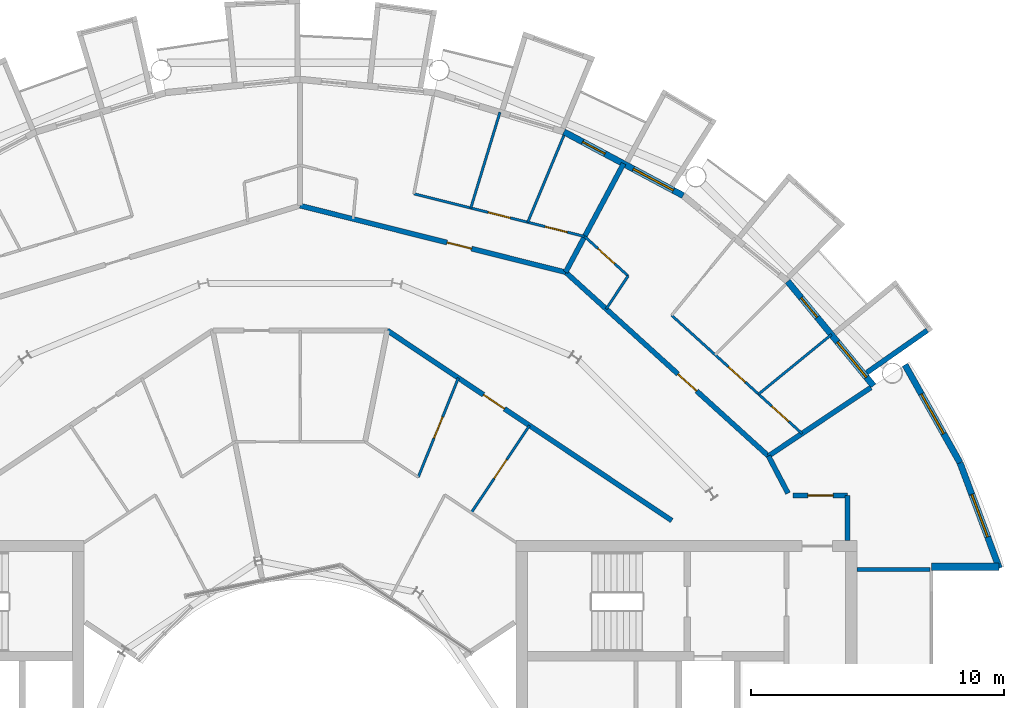
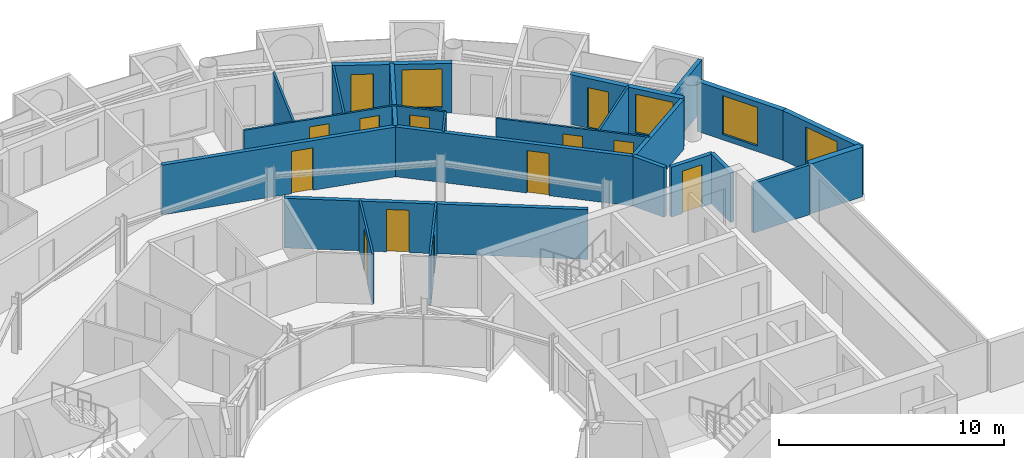
# One storey, part 23 of 27: 24 walls, 13 doors, 4 windows, 17 openings.
"""IFC4 building model written with IfcOpenShell, lengths in metres."""

from ifc_helpers import new_model, si_unit, direction, frame, frame_2d, origin, place, context, subcontext, project, spatial, rectangle, extrude, material, layer, layer_set, type_object, element, fill, save


model = new_model("IFC4")

# Units and contexts
model_context = context("Model", 3, precision=1e-05, world=origin(), true_north=direction((0.0, 1.0)))
body_context = subcontext(model_context, "Body", "Model", "MODEL_VIEW")
ifc_project = project(units=[si_unit("LENGTHUNIT", "METRE"), si_unit("AREAUNIT", "SQUARE_METRE"), si_unit("VOLUMEUNIT", "CUBIC_METRE"), si_unit("PLANEANGLEUNIT", "RADIAN"), si_unit("MASSUNIT", "GRAM", prefix="KILO")], contexts=[model_context])

# Site, building, storey
site_placement = place(None, origin())
site = spatial("IfcSite", under=ifc_project, at=site_placement, CompositionType="ELEMENT")
building_placement = place(site_placement, origin())
building = spatial("IfcBuilding", under=site, at=building_placement, Name="Maasbend Ring Residences", CompositionType="ELEMENT")
storey_placement = place(building_placement, frame((0.0, 0.0, 199.35009765625)))
storey = spatial("IfcBuildingStorey", under=building, at=storey_placement, Name="L57", CompositionType="ELEMENT", Elevation=199.35009765625)

# Wall
ifc_material_1 = material(Name="Concrete C30/37", Category="concrete")
ifc_layer_1 = layer(ifc_material_1, 0.199951171875)
ifc_layer_set_1 = layer_set([ifc_layer_1], Name="Concrete C30/37")
wall_type_1 = type_object("IfcWallType", Name="CORRIDOR WALL 200 CONCRETE", PredefinedType="PARTITIONING", material=ifc_layer_set_1)
wall_1_placement = place(storey_placement, frame((21.675048828125, 9.050048828125, 0.0), z_axis=(0.0, 0.0, 1.0), x_axis=(0.0, 1.0, 0.0)))
element("IfcWall", 1, at=wall_1_placement, inside=storey, type_object=wall_type_1, Name="U-L57-w014", PredefinedType="PARTITIONING", context=body_context, shape_type="SweptSolid", body=[
    extrude(rectangle(XDim=1.77490234375, YDim=0.199951171875, at=frame_2d((0.887451171875, 0.0))), origin(), (0.0, 0.0, 1.0), 2.699951171875),
])

# Wall, opening, door
wall_2_placement = place(storey_placement, frame((19.52294921875, 10.824951171875, 0.0), z_axis=(0.0, 0.0, 1.0), x_axis=(1.0, 0.0, 0.0)))
wall_2 = element("IfcWall", 2, at=wall_2_placement, inside=storey, type_object=wall_type_1, Name="U-L57-w093", PredefinedType="PARTITIONING", context=body_context, shape_type="SweptSolid", body=[
    extrude(rectangle(XDim=2.152099609375, YDim=0.199951171875, at=frame_2d((1.076171875, 0.0))), origin(), (0.0, 0.0, 1.0), 2.699951171875),
])
opening_1_placement = place(wall_2_placement, frame((0.575927734375, 0.0, 0.0)))
opening_1 = element("IfcOpeningElement", 3, at=opening_1_placement, cuts=wall_2, Name="Opening D-5764", PredefinedType="OPENING", context=body_context, shape_type="SweptSolid", body=[
    extrude(rectangle(XDim=1.0, YDim=2.300048828125, at=frame_2d((0.5, 1.14990234375))), frame((0.0, 0.10986328125, 0.0), z_axis=(0.0, -1.0, 0.0), x_axis=(1.0, 0.0, 0.0)), (0.0, 0.0, 1.0), 0.219970703125),
])
ifc_material_2 = material(Name="Timber, painted", Category="wood")
door_type_1 = type_object("IfcDoorType", Name="ROOM DOOR 1000 X 2300", OperationType="NOTDEFINED", PredefinedType="DOOR", material=ifc_material_2)
door_1_placement = place(opening_1_placement, origin())
door_1 = element("IfcDoor", 4, at=door_1_placement, inside=storey, type_object=door_type_1, Name="D-5764", OperationType="SINGLE_SWING_LEFT", OverallHeight=2.300048828125, OverallWidth=1.0, PredefinedType="DOOR", context=body_context, shape_type="SweptSolid", body=[
    extrude(rectangle(XDim=1.0, YDim=2.300048828125, at=frame_2d((0.5, 1.14990234375))), frame((0.0, 0.02490234375, 0.0), z_axis=(0.0, -1.0, 0.0), x_axis=(1.0, 0.0, 0.0)), (0.0, 0.0, 1.0), 0.050048828125),
])
fill(opening_1, door_1)

wall_3_placement = place(storey_placement, frame((3.452880859375, 17.360107421875, 0.0), z_axis=(0.0, 0.0, 1.0), x_axis=(0.831437137577, -0.555618831806, 0.0)))
wall_3 = element("IfcWall", 5, at=wall_3_placement, inside=storey, type_object=wall_type_1, Name="U-L57-w100", PredefinedType="PARTITIONING", context=body_context, shape_type="SweptSolid", body=[
    extrude(rectangle(XDim=13.549072265625, YDim=0.199951171875, at=frame_2d((6.7744140625, 0.0))), origin(), (0.0, 0.0, 1.0), 2.699951171875),
])
opening_2_placement = place(wall_3_placement, frame((4.5810546875, 0.0, 0.0)))
opening_2 = element("IfcOpeningElement", 6, at=opening_2_placement, cuts=wall_3, Name="Opening D-5720", PredefinedType="OPENING", context=body_context, shape_type="SweptSolid", body=[
    extrude(rectangle(XDim=1.0, YDim=2.300048828125, at=frame_2d((0.5, 1.14990234375))), frame((0.0, 0.10986328125, 0.0), z_axis=(0.0, -1.0, 0.0), x_axis=(1.0, 0.0, 0.0)), (0.0, 0.0, 1.0), 0.219970703125),
])
ifc_material_3 = material(Name="Timber, fire-rated, painted", Category="wood")
door_type_2 = type_object("IfcDoorType", Name="FLAT ENTRANCE DOOR 1000 X 2300 FIRE-RATED", OperationType="NOTDEFINED", PredefinedType="DOOR", material=ifc_material_3)
door_2_placement = place(opening_2_placement, origin())
door_2 = element("IfcDoor", 7, at=door_2_placement, inside=storey, type_object=door_type_2, Name="D-5720", OperationType="SINGLE_SWING_LEFT", OverallHeight=2.300048828125, OverallWidth=1.0, PredefinedType="DOOR", context=body_context, shape_type="SweptSolid", body=[
    extrude(rectangle(XDim=1.0, YDim=2.300048828125, at=frame_2d((0.5, 1.14990234375))), frame((0.0, 0.02490234375, 0.0), z_axis=(0.0, -1.0, 0.0), x_axis=(1.0, 0.0, 0.0)), (0.0, 0.0, 1.0), 0.050048828125),
])
fill(opening_2, door_2)

wall_4_placement = place(storey_placement, frame((0.0, 22.300048828125, 0.0), z_axis=(0.0, 0.0, 1.0), x_axis=(0.969975381822, -0.243203122222, 0.0)))
wall_4 = element("IfcWall", 8, at=wall_4_placement, inside=storey, type_object=wall_type_1, Name="U-L57-w103", PredefinedType="PARTITIONING", context=body_context, shape_type="SweptSolid", body=[
    extrude(rectangle(XDim=10.842529296875, YDim=0.199951171875, at=frame_2d((5.42138671875, 0.0))), origin(), (0.0, 0.0, 1.0), 2.699951171875),
])
opening_3_placement = place(wall_4_placement, frame((6.001953125, 0.0, 0.0)))
opening_3 = element("IfcOpeningElement", 9, at=opening_3_placement, cuts=wall_4, Name="Opening D-5706", PredefinedType="OPENING", context=body_context, shape_type="SweptSolid", body=[
    extrude(rectangle(XDim=1.0, YDim=2.300048828125, at=frame_2d((0.5, 1.14990234375))), frame((0.0, 0.10986328125, 0.0), z_axis=(0.0, -1.0, 0.0), x_axis=(1.0, 0.0, 0.0)), (0.0, 0.0, 1.0), 0.219970703125),
])
door_3_placement = place(opening_3_placement, origin())
door_3 = element("IfcDoor", 10, at=door_3_placement, inside=storey, type_object=door_type_2, Name="D-5706", OperationType="SINGLE_SWING_RIGHT", OverallHeight=2.300048828125, OverallWidth=1.0, PredefinedType="DOOR", context=body_context, shape_type="SweptSolid", body=[
    extrude(rectangle(XDim=1.0, YDim=2.300048828125, at=frame_2d((0.5, 1.14990234375))), frame((0.0, 0.02490234375, 0.0), z_axis=(0.0, -1.0, 0.0), x_axis=(1.0, 0.0, 0.0)), (0.0, 0.0, 1.0), 0.050048828125),
])
fill(opening_3, door_3)

wall_5_placement = place(storey_placement, frame((10.511962890625, 19.6669921875, 0.0), z_axis=(0.0, 0.0, 1.0), x_axis=(0.740849323054, -0.67167125927, 0.0)))
wall_5 = element("IfcWall", 11, at=wall_5_placement, inside=storey, type_object=wall_type_1, Name="U-L57-w104", PredefinedType="PARTITIONING", context=body_context, shape_type="SweptSolid", body=[
    extrude(rectangle(XDim=10.841552734375, YDim=0.199951171875, at=frame_2d((5.4208984375, 0.0))), origin(), (0.0, 0.0, 1.0), 2.699951171875),
])
opening_4_placement = place(wall_5_placement, frame((6.0029296875, 0.0, 0.0)))
opening_4 = element("IfcOpeningElement", 12, at=opening_4_placement, cuts=wall_5, Name="Opening D-5701", PredefinedType="OPENING", context=body_context, shape_type="SweptSolid", body=[
    extrude(rectangle(XDim=1.0, YDim=2.300048828125, at=frame_2d((0.5, 1.14990234375))), frame((0.0, 0.10986328125, 0.0), z_axis=(0.0, -1.0, 0.0), x_axis=(1.0, 0.0, 0.0)), (0.0, 0.0, 1.0), 0.219970703125),
])
door_4_placement = place(opening_4_placement, origin())
door_4 = element("IfcDoor", 13, at=door_4_placement, inside=storey, type_object=door_type_2, Name="D-5701", OperationType="SINGLE_SWING_RIGHT", OverallHeight=2.300048828125, OverallWidth=1.0, PredefinedType="DOOR", context=body_context, shape_type="SweptSolid", body=[
    extrude(rectangle(XDim=1.0, YDim=2.300048828125, at=frame_2d((0.5, 1.14990234375))), frame((0.0, 0.02490234375, 0.0), z_axis=(0.0, -1.0, 0.0), x_axis=(1.0, 0.0, 0.0)), (0.0, 0.0, 1.0), 0.050048828125),
])
fill(opening_4, door_4)

# Walls
wall_6_placement = place(storey_placement, frame((18.5419921875, 12.388916015625, 0.0), z_axis=(0.0, 0.0, 1.0), x_axis=(0.465359652486, -0.885121683068, 0.0)))
element("IfcWall", 14, at=wall_6_placement, inside=storey, type_object=wall_type_1, Name="U-L57-w109", PredefinedType="PARTITIONING", context=body_context, shape_type="SweptSolid", body=[
    extrude(rectangle(XDim=1.665283203125, YDim=0.199951171875, at=frame_2d((0.83251953125, 0.0))), origin(), (0.0, 0.0, 1.0), 2.699951171875),
])
ifc_material_4 = material(Name="Pale anodised aluminium panel", Category="aluminium")
ifc_layer_2 = layer(ifc_material_4, 0.199951171875)
ifc_layer_set_2 = layer_set([ifc_layer_2], Name="EW-BOX")
wall_type_2 = type_object("IfcWallType", Name="EW-BOX", PredefinedType="SOLIDWALL", material=ifc_layer_set_2)
wall_7_placement = place(storey_placement, frame((22.43310546875, 15.68798828125, -0.030029296875), z_axis=(0.0, 0.0, 1.0), x_axis=(0.819373043115, 0.573260687834, 0.0)))
element("IfcWall", 15, at=wall_7_placement, inside=storey, type_object=wall_type_2, Name="Box side wall N01 left", PredefinedType="SOLIDWALL", context=body_context, shape_type="SweptSolid", body=[
    extrude(rectangle(XDim=2.92529296875, YDim=0.199951171875, at=frame_2d((1.462646484375, 0.0))), origin(), (0.0, 0.0, 1.0), 2.72998046875),
])

# Wall, openings, door, window
ifc_material_5 = material(Name="Aluminium clad insulated panel", Category="aluminium")
ifc_layer_3 = layer(ifc_material_5, 0.25)
ifc_layer_set_3 = layer_set([ifc_layer_3], Name="EW-GL")
wall_type_3 = type_object("IfcWallType", Name="EW-GL", PredefinedType="SOLIDWALL", material=ifc_layer_set_3)
wall_8_placement = place(storey_placement, frame((22.698974609375, 15.1669921875, 0.0), z_axis=(0.0, 0.0, 1.0), x_axis=(-0.634382322723, 0.773019449054, 0.0)))
wall_8 = element("IfcWall", 16, at=wall_8_placement, inside=storey, type_object=wall_type_3, Name="External wall N01", PredefinedType="SOLIDWALL", context=body_context, shape_type="SweptSolid", body=[
    extrude(rectangle(XDim=5.351806640625, YDim=0.25, at=frame_2d((2.67578125, 0.0))), origin(), (0.0, 0.0, 1.0), 2.699951171875),
])
opening_5_placement = place(wall_8_placement, frame((0.441162109375, 0.0, 0.300048828125)))
opening_5 = element("IfcOpeningElement", 17, at=opening_5_placement, cuts=wall_8, Name="Opening W-BX", PredefinedType="OPENING", context=body_context, shape_type="SweptSolid", body=[
    extrude(rectangle(XDim=1.800048828125, YDim=2.10009765625, at=frame_2d((0.89990234375, 1.050048828125))), frame((0.0, 0.135009765625, 0.0), z_axis=(0.0, -1.0, 0.0), x_axis=(1.0, 0.0, 0.0)), (0.0, 0.0, 1.0), 0.27001953125),
])
opening_6_placement = place(wall_8_placement, frame((3.510498046875, 0.0, 0.0)))
opening_6 = element("IfcOpeningElement", 18, at=opening_6_placement, cuts=wall_8, Name="Opening D-LG", PredefinedType="OPENING", context=body_context, shape_type="SweptSolid", body=[
    extrude(rectangle(XDim=1.0, YDim=2.199951171875, at=frame_2d((0.5, 1.10009765625))), frame((0.0, 0.135009765625, 0.0), z_axis=(0.0, -1.0, 0.0), x_axis=(1.0, 0.0, 0.0)), (0.0, 0.0, 1.0), 0.27001953125),
])
ifc_material_6 = material(Name="Aluminium and clear glass", Category="aluminium")
door_type_3 = type_object("IfcDoorType", Name="D-LG", OperationType="SINGLE_SWING_LEFT", PredefinedType="DOOR", material=ifc_material_6)
door_5_placement = place(opening_6_placement, origin())
door_5 = element("IfcDoor", 19, at=door_5_placement, inside=storey, type_object=door_type_3, Name="Loggia door N02", OperationType="SINGLE_SWING_LEFT", OverallHeight=2.199951171875, OverallWidth=1.0, PredefinedType="DOOR", context=body_context, shape_type="SweptSolid", body=[
    extrude(rectangle(XDim=1.0, YDim=2.199951171875, at=frame_2d((0.5, 1.10009765625))), frame((0.0, 0.02490234375, 0.0), z_axis=(0.0, -1.0, 0.0), x_axis=(1.0, 0.0, 0.0)), (0.0, 0.0, 1.0), 0.050048828125),
])
fill(opening_6, door_5)
ifc_material_7 = material(Name="Aluminium and clear glass", Category="aluminium")
window_type = type_object("IfcWindowType", Name="W-BX", PartitioningType="DOUBLE_PANEL_VERTICAL", PredefinedType="WINDOW", material=ifc_material_7)
window_1_placement = place(opening_5_placement, origin())
window_1 = element("IfcWindow", 20, at=window_1_placement, inside=storey, type_object=window_type, Name="Window N01 room to box", OverallHeight=2.10009765625, OverallWidth=1.800048828125, PartitioningType="SINGLE_PANEL", PredefinedType="WINDOW", context=body_context, shape_type="SweptSolid", body=[
    extrude(rectangle(XDim=1.800048828125, YDim=2.10009765625, at=frame_2d((0.89990234375, 1.050048828125))), frame((0.0, 0.030029296875, 0.0), z_axis=(0.0, -1.0, 0.0), x_axis=(1.0, 0.0, 0.0)), (0.0, 0.0, 1.0), 0.06005859375),
])
fill(opening_5, window_1)

wall_9_placement = place(storey_placement, frame((15.1669921875, 22.698974609375, 0.0), z_axis=(0.0, 0.0, 1.0), x_axis=(-0.881915646801, 0.471407246368, 0.0)))
wall_9 = element("IfcWall", 21, at=wall_9_placement, inside=storey, type_object=wall_type_3, Name="External wall N03", PredefinedType="SOLIDWALL", context=body_context, shape_type="SweptSolid", body=[
    extrude(rectangle(XDim=5.35205078125, YDim=0.25, at=frame_2d((2.676025390625, 0.0))), origin(), (0.0, 0.0, 1.0), 2.699951171875),
])
opening_7_placement = place(wall_9_placement, frame((0.441162109375, 0.0, 0.300048828125)))
opening_7 = element("IfcOpeningElement", 22, at=opening_7_placement, cuts=wall_9, Name="Opening W-BX", PredefinedType="OPENING", context=body_context, shape_type="SweptSolid", body=[
    extrude(rectangle(XDim=1.800048828125, YDim=2.10009765625, at=frame_2d((0.89990234375, 1.050048828125))), frame((0.0, 0.135009765625, 0.0), z_axis=(0.0, -1.0, 0.0), x_axis=(1.0, 0.0, 0.0)), (0.0, 0.0, 1.0), 0.27001953125),
])
opening_8_placement = place(wall_9_placement, frame((3.510498046875, 0.0, 0.0)))
opening_8 = element("IfcOpeningElement", 23, at=opening_8_placement, cuts=wall_9, Name="Opening D-LG", PredefinedType="OPENING", context=body_context, shape_type="SweptSolid", body=[
    extrude(rectangle(XDim=1.0, YDim=2.199951171875, at=frame_2d((0.5, 1.10009765625))), frame((0.0, 0.135009765625, 0.0), z_axis=(0.0, -1.0, 0.0), x_axis=(1.0, 0.0, 0.0)), (0.0, 0.0, 1.0), 0.27001953125),
])
door_6_placement = place(opening_8_placement, origin())
door_6 = element("IfcDoor", 24, at=door_6_placement, inside=storey, type_object=door_type_3, Name="Loggia door N06", OperationType="SINGLE_SWING_LEFT", OverallHeight=2.199951171875, OverallWidth=1.0, PredefinedType="DOOR", context=body_context, shape_type="SweptSolid", body=[
    extrude(rectangle(XDim=1.0, YDim=2.199951171875, at=frame_2d((0.5, 1.10009765625))), frame((0.0, 0.02490234375, 0.0), z_axis=(0.0, -1.0, 0.0), x_axis=(1.0, 0.0, 0.0)), (0.0, 0.0, 1.0), 0.050048828125),
])
fill(opening_8, door_6)
window_2_placement = place(opening_7_placement, origin())
window_2 = element("IfcWindow", 25, at=window_2_placement, inside=storey, type_object=window_type, Name="Window N05 room to box", OverallHeight=2.10009765625, OverallWidth=1.800048828125, PartitioningType="SINGLE_PANEL", PredefinedType="WINDOW", context=body_context, shape_type="SweptSolid", body=[
    extrude(rectangle(XDim=1.800048828125, YDim=2.10009765625, at=frame_2d((0.89990234375, 1.050048828125))), frame((0.0, 0.030029296875, 0.0), z_axis=(0.0, -1.0, 0.0), x_axis=(1.0, 0.0, 0.0)), (0.0, 0.0, 1.0), 0.06005859375),
])
fill(opening_7, window_2)

# Wall, opening, window
ifc_material_8 = material(Name="Aluminium clad insulated panel", Category="aluminium")
ifc_layer_4 = layer(ifc_material_8, 0.25)
ifc_layer_set_4 = layer_set([ifc_layer_4], Name="EW-HORN")
wall_type_4 = type_object("IfcWallType", Name="EW-HORN", PredefinedType="SOLIDWALL", material=ifc_layer_set_4)
wall_10_placement = place(storey_placement, frame((27.681884765625, 7.945068359375, 0.0), z_axis=(0.0, 0.0, 1.0), x_axis=(-0.349247811493, 0.937030397675, 0.0)))
wall_10 = element("IfcWall", 26, at=wall_10_placement, inside=storey, type_object=wall_type_4, Name="Horn wall 1.1", PredefinedType="SOLIDWALL", context=body_context, shape_type="SweptSolid", body=[
    extrude(rectangle(XDim=4.4521484375, YDim=0.25, at=frame_2d((2.22607421875, 0.0))), origin(), (0.0, 0.0, 1.0), 2.699951171875),
])
opening_9_placement = place(wall_10_placement, frame((1.32666015625, 0.0, 0.300048828125)))
opening_9 = element("IfcOpeningElement", 27, at=opening_9_placement, cuts=wall_10, Name="Opening W-BX", PredefinedType="OPENING", context=body_context, shape_type="SweptSolid", body=[
    extrude(rectangle(XDim=1.800048828125, YDim=2.10009765625, at=frame_2d((0.89990234375, 1.050048828125))), frame((0.0, 0.135009765625, 0.0), z_axis=(0.0, -1.0, 0.0), x_axis=(1.0, 0.0, 0.0)), (0.0, 0.0, 1.0), 0.27001953125),
])
window_3_placement = place(opening_9_placement, origin())
window_3 = element("IfcWindow", 28, at=window_3_placement, inside=storey, type_object=window_type, Name="Horn window 1.1", OverallHeight=2.10009765625, OverallWidth=1.800048828125, PartitioningType="SINGLE_PANEL", PredefinedType="WINDOW", context=body_context, shape_type="SweptSolid", body=[
    extrude(rectangle(XDim=1.800048828125, YDim=2.10009765625, at=frame_2d((0.89990234375, 1.050048828125))), frame((0.0, 0.030029296875, 0.0), z_axis=(0.0, -1.0, 0.0), x_axis=(1.0, 0.0, 0.0)), (0.0, 0.0, 1.0), 0.06005859375),
])
fill(opening_9, window_3)

wall_11_placement = place(storey_placement, frame((26.126953125, 12.116943359375, 0.0), z_axis=(0.0, 0.0, 1.0), x_axis=(-0.489696356642, 0.871893042919, 0.0)))
wall_11 = element("IfcWall", 29, at=wall_11_placement, inside=storey, type_object=wall_type_4, Name="Horn wall 1.2", PredefinedType="SOLIDWALL", context=body_context, shape_type="SweptSolid", body=[
    extrude(rectangle(XDim=4.45361328125, YDim=0.25, at=frame_2d((2.226806640625, 0.0))), origin(), (0.0, 0.0, 1.0), 2.699951171875),
])
opening_10_placement = place(wall_11_placement, frame((1.32666015625, 0.0, 0.300048828125)))
opening_10 = element("IfcOpeningElement", 30, at=opening_10_placement, cuts=wall_11, Name="Opening W-BX", PredefinedType="OPENING", context=body_context, shape_type="SweptSolid", body=[
    extrude(rectangle(XDim=1.800048828125, YDim=2.10009765625, at=frame_2d((0.89990234375, 1.050048828125))), frame((0.0, 0.135009765625, 0.0), z_axis=(0.0, -1.0, 0.0), x_axis=(1.0, 0.0, 0.0)), (0.0, 0.0, 1.0), 0.27001953125),
])
window_4_placement = place(opening_10_placement, origin())
window_4 = element("IfcWindow", 31, at=window_4_placement, inside=storey, type_object=window_type, Name="Horn window 1.2", OverallHeight=2.10009765625, OverallWidth=1.800048828125, PartitioningType="SINGLE_PANEL", PredefinedType="WINDOW", context=body_context, shape_type="SweptSolid", body=[
    extrude(rectangle(XDim=1.800048828125, YDim=2.10009765625, at=frame_2d((0.89990234375, 1.050048828125))), frame((0.0, 0.030029296875, 0.0), z_axis=(0.0, -1.0, 0.0), x_axis=(1.0, 0.0, 0.0)), (0.0, 0.0, 1.0), 0.06005859375),
])
fill(opening_10, window_4)

# Wall
ifc_material_9 = material(Name="Aluminium clad insulated panel", Category="aluminium")
ifc_layer_5 = layer(ifc_material_9, 0.300048828125)
ifc_layer_set_5 = layer_set([ifc_layer_5], Name="EW-RET")
wall_type_5 = type_object("IfcWallType", Name="EW-RET", PredefinedType="SOLIDWALL", material=ifc_layer_set_5)
wall_12_placement = place(storey_placement, frame((25.0, 8.0, 0.0), z_axis=(0.0, 0.0, 1.0), x_axis=(1.0, 0.0, 0.0)))
element("IfcWall", 32, at=wall_12_placement, inside=storey, type_object=wall_type_5, Name="Notch return wall east north", PredefinedType="SOLIDWALL", context=body_context, shape_type="SweptSolid", body=[
    extrude(rectangle(XDim=2.6669921875, YDim=0.300048828125, at=frame_2d((1.33349609375, 0.0))), origin(), (0.0, 0.0, 1.0), 2.699951171875),
])

# Wall, opening, door
ifc_material_10 = material(Name="Gypsum board on steel studs", Category="steel")
ifc_layer_6 = layer(ifc_material_10, 0.10009765625)
ifc_layer_set_6 = layer_set([ifc_layer_6], Name="PARTITION 100 GYPSUM")
wall_type_6 = type_object("IfcWallType", Name="PARTITION 100 GYPSUM", PredefinedType="PARTITIONING", material=ifc_layer_set_6)
wall_13_placement = place(storey_placement, frame((4.677978515625, 11.551025390625, 0.0), z_axis=(0.0, 0.0, 1.0), x_axis=(0.375509828455, 0.926818411952, 0.0)))
wall_13 = element("IfcWall", 33, at=wall_13_placement, inside=storey, type_object=wall_type_6, Name="U-L57-w070", PredefinedType="PARTITIONING", context=body_context, shape_type="SweptSolid", body=[
    extrude(rectangle(XDim=4.237060546875, YDim=0.10009765625, at=frame_2d((2.11865234375, 0.0))), origin(), (0.0, 0.0, 1.0), 2.699951171875),
])
opening_11_placement = place(wall_13_placement, frame((1.6689453125, 0.0, 0.0)))
opening_11 = element("IfcOpeningElement", 34, at=opening_11_placement, cuts=wall_13, Name="Opening D-5721", PredefinedType="OPENING", context=body_context, shape_type="SweptSolid", body=[
    extrude(rectangle(XDim=0.89990234375, YDim=2.300048828125, at=frame_2d((0.449951171875, 1.14990234375))), frame((0.0, 0.06005859375, 0.0), z_axis=(0.0, -1.0, 0.0), x_axis=(1.0, 0.0, 0.0)), (0.0, 0.0, 1.0), 0.1201171875),
])
ifc_material_11 = material(Name="Timber, painted", Category="wood")
door_type_4 = type_object("IfcDoorType", Name="INTERNAL DOOR 900 X 2300", OperationType="NOTDEFINED", PredefinedType="DOOR", material=ifc_material_11)
door_7_placement = place(opening_11_placement, origin())
door_7 = element("IfcDoor", 35, at=door_7_placement, inside=storey, type_object=door_type_4, Name="D-5721", OperationType="SINGLE_SWING_RIGHT", OverallHeight=2.300048828125, OverallWidth=0.89990234375, PredefinedType="DOOR", context=body_context, shape_type="SweptSolid", body=[
    extrude(rectangle(XDim=0.89990234375, YDim=2.300048828125, at=frame_2d((0.449951171875, 1.14990234375))), frame((0.0, 0.02490234375, 0.0), z_axis=(0.0, -1.0, 0.0), x_axis=(1.0, 0.0, 0.0)), (0.0, 0.0, 1.0), 0.050048828125),
])
fill(opening_11, door_7)

# Wall
wall_14_placement = place(storey_placement, frame((6.760009765625, 22.20703125, 0.0), z_axis=(0.0, 0.0, 1.0), x_axis=(0.291291575636, 0.956634317785, 0.0)))
element("IfcWall", 36, at=wall_14_placement, inside=storey, type_object=wall_type_6, Name="U-L57-w072", PredefinedType="PARTITIONING", context=body_context, shape_type="SweptSolid", body=[
    extrude(rectangle(XDim=3.9619140625, YDim=0.10009765625, at=frame_2d((1.98095703125, 0.0))), origin(), (0.0, 0.0, 1.0), 2.699951171875),
])

# Wall, opening, door
wall_15_placement = place(storey_placement, frame((6.780029296875, 10.14697265625, 0.0), z_axis=(0.0, 0.0, 1.0), x_axis=(0.555528237031, 0.831497671591, 0.0)))
wall_15 = element("IfcWall", 37, at=wall_15_placement, inside=storey, type_object=wall_type_6, Name="U-L57-w073", PredefinedType="PARTITIONING", context=body_context, shape_type="SweptSolid", body=[
    extrude(rectangle(XDim=4.149169921875, YDim=0.10009765625, at=frame_2d((2.07470703125, 0.0))), origin(), (0.0, 0.0, 1.0), 2.699951171875),
])
opening_12_placement = place(wall_15_placement, frame((1.625, 0.0, 0.0)))
opening_12 = element("IfcOpeningElement", 38, at=opening_12_placement, cuts=wall_15, Name="Opening D-5722", PredefinedType="OPENING", context=body_context, shape_type="SweptSolid", body=[
    extrude(rectangle(XDim=0.89990234375, YDim=2.300048828125, at=frame_2d((0.449951171875, 1.14990234375))), frame((0.0, 0.06005859375, 0.0), z_axis=(0.0, -1.0, 0.0), x_axis=(1.0, 0.0, 0.0)), (0.0, 0.0, 1.0), 0.1201171875),
])
door_8_placement = place(opening_12_placement, origin())
door_8 = element("IfcDoor", 39, at=door_8_placement, inside=storey, type_object=door_type_4, Name="D-5722", OperationType="SINGLE_SWING_RIGHT", OverallHeight=2.300048828125, OverallWidth=0.89990234375, PredefinedType="DOOR", context=body_context, shape_type="SweptSolid", body=[
    extrude(rectangle(XDim=0.89990234375, YDim=2.300048828125, at=frame_2d((0.449951171875, 1.14990234375))), frame((0.0, 0.02490234375, 0.0), z_axis=(0.0, -1.0, 0.0), x_axis=(1.0, 0.0, 0.0)), (0.0, 0.0, 1.0), 0.050048828125),
])
fill(opening_12, door_8)

# Walls
wall_16_placement = place(storey_placement, frame((9.012939453125, 21.64208984375, 0.0), z_axis=(0.0, 0.0, 1.0), x_axis=(0.384420204655, 0.923158223845, 0.0)))
element("IfcWall", 40, at=wall_16_placement, inside=storey, type_object=wall_type_6, Name="U-L57-w077", PredefinedType="PARTITIONING", context=body_context, shape_type="SweptSolid", body=[
    extrude(rectangle(XDim=3.73046875, YDim=0.10009765625, at=frame_2d((1.865234375, 0.0))), origin(), (0.0, 0.0, 1.0), 2.699951171875),
])
wall_17_placement = place(storey_placement, frame((12.117919921875, 18.2109375, 0.0), z_axis=(0.0, 0.0, 1.0), x_axis=(0.554125989098, 0.832432813028, 0.0)))
element("IfcWall", 41, at=wall_17_placement, inside=storey, type_object=wall_type_6, Name="U-L57-w081", PredefinedType="PARTITIONING", context=body_context, shape_type="SweptSolid", body=[
    extrude(rectangle(XDim=1.5703125, YDim=0.10009765625, at=frame_2d((0.78515625, 0.0))), origin(), (0.0, 0.0, 1.0), 2.699951171875),
])
wall_18_placement = place(storey_placement, frame((18.15087890625, 14.837890625, 0.0), z_axis=(0.0, 0.0, 1.0), x_axis=(0.774321581607, 0.63279229472, 0.0)))
element("IfcWall", 42, at=wall_18_placement, inside=storey, type_object=wall_type_6, Name="U-L57-w087", PredefinedType="PARTITIONING", context=body_context, shape_type="SweptSolid", body=[
    extrude(rectangle(XDim=3.731201171875, YDim=0.10009765625, at=frame_2d((1.86572265625, 0.0))), origin(), (0.0, 0.0, 1.0), 2.699951171875),
])

# Wall, openings, doors
wall_19_placement = place(storey_placement, frame((4.507080078125, 22.77099609375, 0.0), z_axis=(0.0, 0.0, 1.0), x_axis=(0.970020829306, -0.243021790611, 0.0)))
wall_19 = element("IfcWall", 43, at=wall_19_placement, inside=storey, type_object=wall_type_6, Name="U-L57-w113", PredefinedType="PARTITIONING", context=body_context, shape_type="SweptSolid", body=[
    extrude(rectangle(XDim=6.970947265625, YDim=0.10009765625, at=frame_2d((3.4853515625, 0.0))), origin(), (0.0, 0.0, 1.0), 2.699951171875),
])
opening_13_placement = place(wall_19_placement, frame((3.031005859375, 0.0, 0.0)))
opening_13 = element("IfcOpeningElement", 44, at=opening_13_placement, cuts=wall_19, Name="Opening D-5709", PredefinedType="OPENING", context=body_context, shape_type="SweptSolid", body=[
    extrude(rectangle(XDim=0.89990234375, YDim=2.300048828125, at=frame_2d((0.449951171875, 1.14990234375))), frame((0.0, 0.06005859375, 0.0), z_axis=(0.0, -1.0, 0.0), x_axis=(1.0, 0.0, 0.0)), (0.0, 0.0, 1.0), 0.1201171875),
])
opening_14_placement = place(wall_19_placement, frame((5.35791015625, 0.0, 0.0)))
opening_14 = element("IfcOpeningElement", 45, at=opening_14_placement, cuts=wall_19, Name="Opening D-5710", PredefinedType="OPENING", context=body_context, shape_type="SweptSolid", body=[
    extrude(rectangle(XDim=0.89990234375, YDim=2.300048828125, at=frame_2d((0.449951171875, 1.14990234375))), frame((0.0, 0.06005859375, 0.0), z_axis=(0.0, -1.0, 0.0), x_axis=(1.0, 0.0, 0.0)), (0.0, 0.0, 1.0), 0.1201171875),
])
door_9_placement = place(opening_13_placement, origin())
door_9 = element("IfcDoor", 46, at=door_9_placement, inside=storey, type_object=door_type_4, Name="D-5709", OperationType="SINGLE_SWING_LEFT", OverallHeight=2.300048828125, OverallWidth=0.89990234375, PredefinedType="DOOR", context=body_context, shape_type="SweptSolid", body=[
    extrude(rectangle(XDim=0.89990234375, YDim=2.300048828125, at=frame_2d((0.449951171875, 1.14990234375))), frame((0.0, 0.02490234375, 0.0), z_axis=(0.0, -1.0, 0.0), x_axis=(1.0, 0.0, 0.0)), (0.0, 0.0, 1.0), 0.050048828125),
])
fill(opening_13, door_9)
door_10_placement = place(opening_14_placement, origin())
door_10 = element("IfcDoor", 47, at=door_10_placement, inside=storey, type_object=door_type_4, Name="D-5710", OperationType="SINGLE_SWING_RIGHT", OverallHeight=2.300048828125, OverallWidth=0.89990234375, PredefinedType="DOOR", context=body_context, shape_type="SweptSolid", body=[
    extrude(rectangle(XDim=0.89990234375, YDim=2.300048828125, at=frame_2d((0.449951171875, 1.14990234375))), frame((0.0, 0.02490234375, 0.0), z_axis=(0.0, -1.0, 0.0), x_axis=(1.0, 0.0, 0.0)), (0.0, 0.0, 1.0), 0.050048828125),
])
fill(opening_14, door_10)

# Wall, opening, door
wall_20_placement = place(storey_placement, frame((11.27099609375, 21.073974609375, 0.0), z_axis=(0.0, 0.0, 1.0), x_axis=(0.74087097024, -0.671647381783, 0.0)))
wall_20 = element("IfcWall", 48, at=wall_20_placement, inside=storey, type_object=wall_type_6, Name="U-L57-w114", PredefinedType="PARTITIONING", context=body_context, shape_type="SweptSolid", body=[
    extrude(rectangle(XDim=2.32421875, YDim=0.10009765625, at=frame_2d((1.162109375, 0.0))), origin(), (0.0, 0.0, 1.0), 2.699951171875),
])
opening_15_placement = place(wall_20_placement, frame((0.705078125, 0.0, 0.0)))
opening_15 = element("IfcOpeningElement", 49, at=opening_15_placement, cuts=wall_20, Name="Opening D-5702", PredefinedType="OPENING", context=body_context, shape_type="SweptSolid", body=[
    extrude(rectangle(XDim=0.89990234375, YDim=2.300048828125, at=frame_2d((0.449951171875, 1.14990234375))), frame((0.0, 0.06005859375, 0.0), z_axis=(0.0, -1.0, 0.0), x_axis=(1.0, 0.0, 0.0)), (0.0, 0.0, 1.0), 0.1201171875),
])
door_11_placement = place(opening_15_placement, origin())
door_11 = element("IfcDoor", 50, at=door_11_placement, inside=storey, type_object=door_type_4, Name="D-5702", OperationType="SINGLE_SWING_LEFT", OverallHeight=2.300048828125, OverallWidth=0.89990234375, PredefinedType="DOOR", context=body_context, shape_type="SweptSolid", body=[
    extrude(rectangle(XDim=0.89990234375, YDim=2.300048828125, at=frame_2d((0.449951171875, 1.14990234375))), frame((0.0, 0.02490234375, 0.0), z_axis=(0.0, -1.0, 0.0), x_axis=(1.0, 0.0, 0.0)), (0.0, 0.0, 1.0), 0.050048828125),
])
fill(opening_15, door_11)

# Wall, openings, doors
wall_21_placement = place(storey_placement, frame((14.708984375, 17.9580078125, 0.0), z_axis=(0.0, 0.0, 1.0), x_axis=(0.740923753351, -0.671589153962, 0.0)))
wall_21 = element("IfcWall", 51, at=wall_21_placement, inside=storey, type_object=wall_type_6, Name="U-L57-w115", PredefinedType="PARTITIONING", context=body_context, shape_type="SweptSolid", body=[
    extrude(rectangle(XDim=6.968505859375, YDim=0.10009765625, at=frame_2d((3.484375, 0.0))), origin(), (0.0, 0.0, 1.0), 2.699951171875),
])
opening_16_placement = place(wall_21_placement, frame((3.033935546875, 0.0, 0.0)))
opening_16 = element("IfcOpeningElement", 52, at=opening_16_placement, cuts=wall_21, Name="Opening D-5704", PredefinedType="OPENING", context=body_context, shape_type="SweptSolid", body=[
    extrude(rectangle(XDim=0.89990234375, YDim=2.300048828125, at=frame_2d((0.449951171875, 1.14990234375))), frame((0.0, 0.06005859375, 0.0), z_axis=(0.0, -1.0, 0.0), x_axis=(1.0, 0.0, 0.0)), (0.0, 0.0, 1.0), 0.1201171875),
])
opening_17_placement = place(wall_21_placement, frame((5.35693359375, 0.0, 0.0)))
opening_17 = element("IfcOpeningElement", 53, at=opening_17_placement, cuts=wall_21, Name="Opening D-5705", PredefinedType="OPENING", context=body_context, shape_type="SweptSolid", body=[
    extrude(rectangle(XDim=0.89990234375, YDim=2.300048828125, at=frame_2d((0.449951171875, 1.14990234375))), frame((0.0, 0.06005859375, 0.0), z_axis=(0.0, -1.0, 0.0), x_axis=(1.0, 0.0, 0.0)), (0.0, 0.0, 1.0), 0.1201171875),
])
door_12_placement = place(opening_16_placement, origin())
door_12 = element("IfcDoor", 54, at=door_12_placement, inside=storey, type_object=door_type_4, Name="D-5704", OperationType="SINGLE_SWING_LEFT", OverallHeight=2.300048828125, OverallWidth=0.89990234375, PredefinedType="DOOR", context=body_context, shape_type="SweptSolid", body=[
    extrude(rectangle(XDim=0.89990234375, YDim=2.300048828125, at=frame_2d((0.449951171875, 1.14990234375))), frame((0.0, 0.02490234375, 0.0), z_axis=(0.0, -1.0, 0.0), x_axis=(1.0, 0.0, 0.0)), (0.0, 0.0, 1.0), 0.050048828125),
])
fill(opening_16, door_12)
door_13_placement = place(opening_17_placement, origin())
door_13 = element("IfcDoor", 55, at=door_13_placement, inside=storey, type_object=door_type_4, Name="D-5705", OperationType="SINGLE_SWING_RIGHT", OverallHeight=2.300048828125, OverallWidth=0.89990234375, PredefinedType="DOOR", context=body_context, shape_type="SweptSolid", body=[
    extrude(rectangle(XDim=0.89990234375, YDim=2.300048828125, at=frame_2d((0.449951171875, 1.14990234375))), frame((0.0, 0.02490234375, 0.0), z_axis=(0.0, -1.0, 0.0), x_axis=(1.0, 0.0, 0.0)), (0.0, 0.0, 1.0), 0.050048828125),
])
fill(opening_17, door_13)

# Walls
ifc_material_12 = material(Name="Gypsum board on steel studs", Category="steel")
ifc_layer_7 = layer(ifc_material_12, 0.14990234375)
ifc_layer_set_7 = layer_set([ifc_layer_7], Name="PARTITION 150 EI 60")
wall_type_7 = type_object("IfcWallType", Name="PARTITION 150 EI 60", PredefinedType="PARTITIONING", material=ifc_layer_set_7)
wall_22_placement = place(storey_placement, frame((22.050048828125, 7.89990234375, 0.0), z_axis=(0.0, 0.0, 1.0), x_axis=(1.0, 0.0, 0.0)))
element("IfcWall", 56, at=wall_22_placement, inside=storey, type_object=wall_type_7, Name="L57 core E wall CITN", PredefinedType="PARTITIONING", context=body_context, shape_type="SweptSolid", body=[
    extrude(rectangle(XDim=2.889892578125, YDim=0.14990234375, at=frame_2d((1.44482421875, 0.0))), origin(), (0.0, 0.0, 1.0), 2.699951171875),
])
ifc_material_13 = material(Name="Concrete C30/37", Category="concrete")
ifc_layer_8 = layer(ifc_material_13, 0.199951171875)
ifc_layer_set_8 = layer_set([ifc_layer_8], Name="Concrete C30/37")
wall_type_8 = type_object("IfcWallType", Name="PARTY WALL 200 CONCRETE", PredefinedType="PARTITIONING", material=ifc_layer_set_8)
wall_23_placement = place(storey_placement, frame((10.511962890625, 19.6669921875, 0.0), z_axis=(0.0, 0.0, 1.0), x_axis=(0.471271812246, 0.881988026553, 0.0)))
element("IfcWall", 57, at=wall_23_placement, inside=storey, type_object=wall_type_8, Name="U-L57-w080", PredefinedType="PARTITIONING", context=body_context, shape_type="SweptSolid", body=[
    extrude(rectangle(XDim=4.874267578125, YDim=0.199951171875, at=frame_2d((2.43701171875, 0.0))), origin(), (0.0, 0.0, 1.0), 2.699951171875),
])
wall_24_placement = place(storey_placement, frame((18.5419921875, 12.388916015625, 0.0), z_axis=(0.0, 0.0, 1.0), x_axis=(0.831387096605, 0.55569370664, 0.0)))
element("IfcWall", 58, at=wall_24_placement, inside=storey, type_object=wall_type_8, Name="U-L57-w089", PredefinedType="PARTITIONING", context=body_context, shape_type="SweptSolid", body=[
    extrude(rectangle(XDim=4.875, YDim=0.199951171875, at=frame_2d((2.4375, 0.0))), origin(), (0.0, 0.0, 1.0), 2.699951171875),
])

save(model, "model.ifc")
